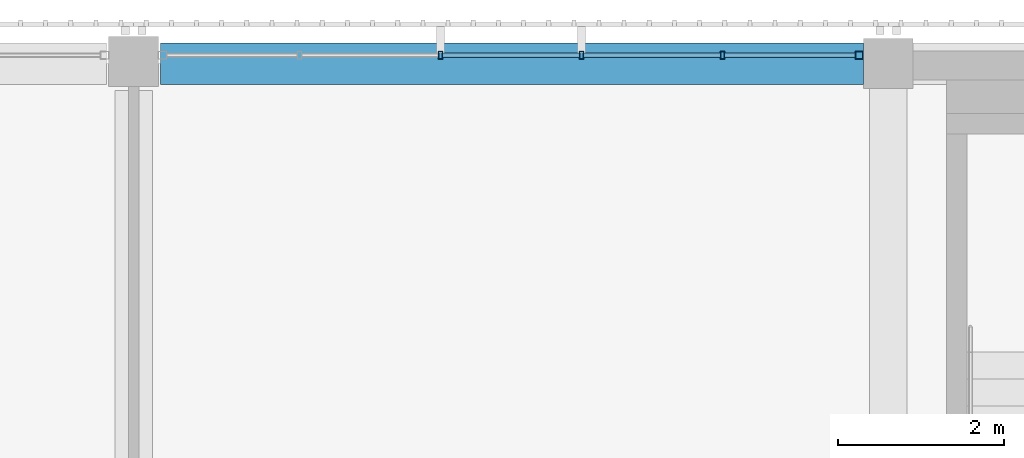
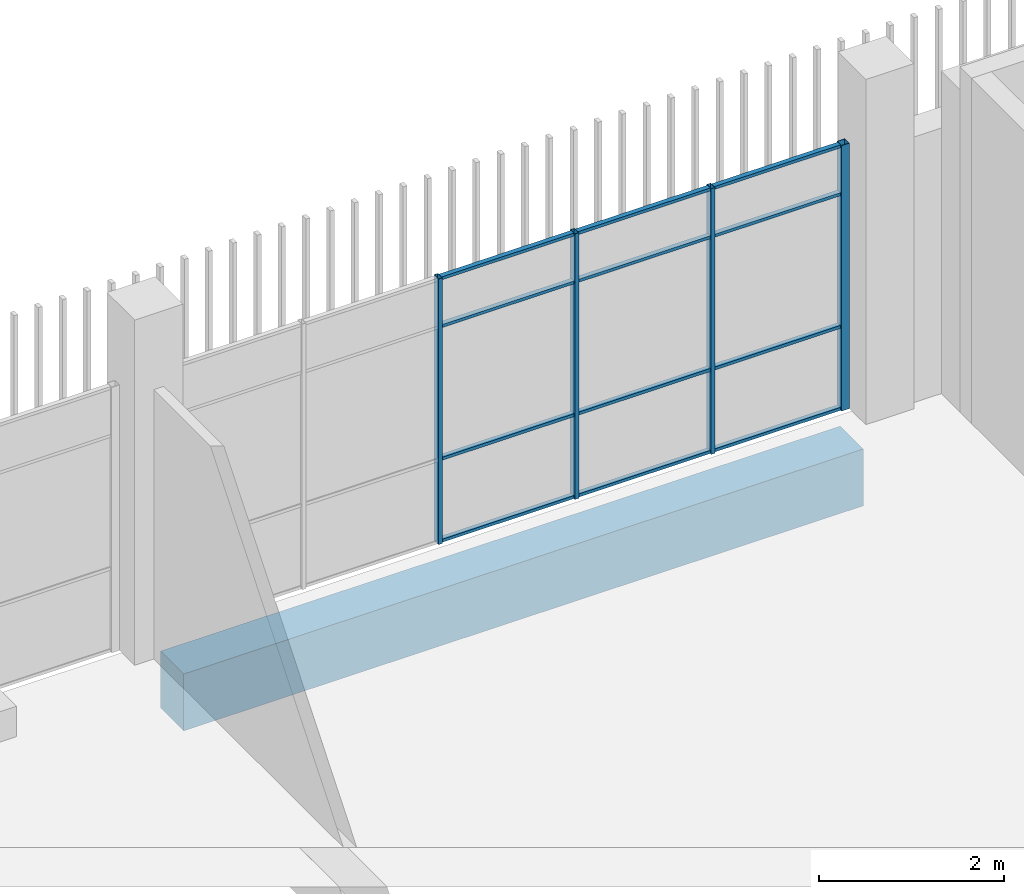
# One storey, part 33 of 126: 16 members, 1 beam, 1 element without a shape of its own.
"""IFC4 building model written with IfcOpenShell, lengths in metres."""

from ifc_helpers import new_model, si_unit, direction, frame, origin, origin_2d, place, context, subcontext, project, spatial, rectangle, hollow_rectangle, extrude, material, layer, layer_set, material_profile, profile_set, type_object, element, aggregate, save


model = new_model("IFC4")

# Units and contexts
model_context = context("Model", 3, precision=1e-05, world=origin(), true_north=direction((0.0, 1.0)))
body_context = subcontext(model_context, "Body", "Model", "MODEL_VIEW")
ifc_project = project(units=[si_unit("LENGTHUNIT", "METRE"), si_unit("AREAUNIT", "SQUARE_METRE"), si_unit("VOLUMEUNIT", "CUBIC_METRE"), si_unit("PLANEANGLEUNIT", "RADIAN"), si_unit("MASSUNIT", "GRAM", prefix="KILO")], contexts=[model_context])

# Site, building, storey
site_placement = place(None, origin())
site = spatial("IfcSite", under=ifc_project, at=site_placement, CompositionType="ELEMENT")
building_placement = place(site_placement, origin())
building = spatial("IfcBuilding", under=site, at=building_placement, Name="Shirokan Park Arena", CompositionType="ELEMENT")
storey_placement = place(building_placement, frame((0.0, 0.0, 6.3701171875)))
storey = spatial("IfcBuildingStorey", under=building, at=storey_placement, Name="L01", CompositionType="ELEMENT", Elevation=6.3701171875)

# Curtain wall, members
ifc_material_1 = material(Name="Steel and glass curtain wall", Category="steel")
ifc_layer = layer(ifc_material_1, 0.10009765625)
ifc_layer_set = layer_set([ifc_layer], Name="Steel and glass curtain wall 100 mm")
curtain_wall_type = type_object("IfcCurtainWallType", Name="Curtain wall sheltered bay 100", PredefinedType="NOTDEFINED", material=ifc_layer_set)
curtain_wall_placement = place(storey_placement, origin())
curtain_wall = element("IfcCurtainWall", 1, at=curtain_wall_placement, inside=storey, type_object=curtain_wall_type, Name="Curtain wall north bay 11 L01", PredefinedType="NOTDEFINED")
ifc_material_2 = material(Name="Steel S355", Category="steel")
ifc_material_profile_1 = material_profile(ifc_material_2, hollow_rectangle(XDim=0.10009765625, YDim=0.10009765625, WallThickness=0.006103515625, at=origin_2d()), Name="RHS 100x100x6")
ifc_profile_set_1 = profile_set([ifc_material_profile_1], Name="Steel S355")
member_type_1 = type_object("IfcMemberType", Name="Mullion RHS 100x100x6", PredefinedType="MULLION", material=ifc_profile_set_1)
member_1_placement = place(storey_placement, frame((54.25, 109.300048828125, 0.0), z_axis=(0.0, 0.0, 1.0), x_axis=(0.0, -1.0, 0.0)))
member_1 = element("IfcMember", 2, at=member_1_placement, type_object=member_type_1, Name="CW2 mullion 1", PredefinedType="MULLION", context=body_context, shape_type="SweptSolid", body=[
    extrude(hollow_rectangle(XDim=0.10009765625, YDim=0.10009765625, WallThickness=0.006103515625, at=origin_2d()), origin(), (0.0, 0.0, 1.0), 3.5),
])
ifc_material_profile_2 = material_profile(ifc_material_2, hollow_rectangle(XDim=0.10009765625, YDim=0.050048828125, WallThickness=0.0048828125, at=origin_2d()), Name="RHS 100x50x5")
ifc_profile_set_2 = profile_set([ifc_material_profile_2], Name="Steel S355")
member_type_2 = type_object("IfcMemberType", Name="Mullion RHS 100x50x5", PredefinedType="MULLION", material=ifc_profile_set_2)
member_2_placement = place(storey_placement, frame((52.60009765625, 109.300048828125, 0.0), z_axis=(0.0, 0.0, 1.0), x_axis=(0.0, -1.0, 0.0)))
member_2 = element("IfcMember", 3, at=member_2_placement, type_object=member_type_2, Name="CW2 mullion 2", PredefinedType="MULLION", context=body_context, shape_type="SweptSolid", body=[
    extrude(hollow_rectangle(XDim=0.10009765625, YDim=0.050048828125, WallThickness=0.0048828125, at=origin_2d()), origin(), (0.0, 0.0, 1.0), 3.5),
])
member_3_placement = place(storey_placement, frame((50.89990234375, 109.300048828125, 0.0), z_axis=(0.0, 0.0, 1.0), x_axis=(0.0, -1.0, 0.0)))
member_3 = element("IfcMember", 4, at=member_3_placement, type_object=member_type_2, Name="CW2 mullion 3", PredefinedType="MULLION", context=body_context, shape_type="SweptSolid", body=[
    extrude(hollow_rectangle(XDim=0.10009765625, YDim=0.050048828125, WallThickness=0.0048828125, at=origin_2d()), origin(), (0.0, 0.0, 1.0), 3.5),
])
member_4_placement = place(storey_placement, frame((49.199951171875, 109.300048828125, 0.0), z_axis=(0.0, 0.0, 1.0), x_axis=(0.0, -1.0, 0.0)))
member_4 = element("IfcMember", 5, at=member_4_placement, type_object=member_type_2, Name="CW2 mullion 4", PredefinedType="MULLION", context=body_context, shape_type="SweptSolid", body=[
    extrude(hollow_rectangle(XDim=0.10009765625, YDim=0.050048828125, WallThickness=0.0048828125, at=origin_2d()), origin(), (0.0, 0.0, 1.0), 3.5),
])

# Beam
ifc_material_3 = material(Name="Concrete C35", Category="concrete")
ifc_material_profile_3 = material_profile(ifc_material_3, rectangle(XDim=0.5, YDim=0.75, at=origin_2d()), Name="500x750")
ifc_profile_set_3 = profile_set([ifc_material_profile_3], Name="Concrete C35")
beam_type = type_object("IfcBeamType", Name="RC girder 500x750", PredefinedType="BEAM", material=ifc_profile_set_3)
beam_placement = place(storey_placement, frame((45.8251953125, 109.199951171875, -0.72509765625), z_axis=(1.0, 0.0, 0.0), x_axis=(0.0, 1.0, 0.0)))
element("IfcBeam", 6, at=beam_placement, inside=storey, type_object=beam_type, Name="Girder 6N-7N L01", PredefinedType="BEAM", context=body_context, shape_type="SweptSolid", body=[
    extrude(rectangle(XDim=0.5, YDim=0.75, at=origin_2d()), origin(), (0.0, 0.0, 1.0), 8.474609375),
])

# Member
ifc_material_profile_4 = material_profile(ifc_material_2, hollow_rectangle(XDim=0.06005859375, YDim=0.0400390625, WallThickness=0.00390625, at=origin_2d()), Name="RHS 60x40x4")
ifc_profile_set_4 = profile_set([ifc_material_profile_4], Name="Steel S355")
member_type_3 = type_object("IfcMemberType", Name="Transom RHS 60x40x4", PredefinedType="MULLION", material=ifc_profile_set_4)
member_5_placement = place(storey_placement, frame((54.199951171875, 109.300048828125, 0.019775390625), z_axis=(-1.0, 0.0, 0.0), x_axis=(0.0, -1.0, 0.0)))
member_5 = element("IfcMember", 7, at=member_5_placement, type_object=member_type_3, Name="CW2 transom 1.1", PredefinedType="MULLION", context=body_context, shape_type="SweptSolid", body=[
    extrude(hollow_rectangle(XDim=0.06005859375, YDim=0.0400390625, WallThickness=0.00390625, at=origin_2d()), origin(), (0.0, 0.0, 1.0), 1.574951171875),
])

member_6_placement = place(storey_placement, frame((54.199951171875, 109.300048828125, 1.099853515625), z_axis=(-1.0, 0.0, 0.0), x_axis=(0.0, -1.0, 0.0)))
member_6 = element("IfcMember", 8, at=member_6_placement, type_object=member_type_3, Name="CW2 transom 1.2", PredefinedType="MULLION", context=body_context, shape_type="SweptSolid", body=[
    extrude(hollow_rectangle(XDim=0.06005859375, YDim=0.0400390625, WallThickness=0.00390625, at=origin_2d()), origin(), (0.0, 0.0, 1.0), 1.574951171875),
])

member_7_placement = place(storey_placement, frame((54.199951171875, 109.300048828125, 2.849853515625), z_axis=(-1.0, 0.0, 0.0), x_axis=(0.0, -1.0, 0.0)))
member_7 = element("IfcMember", 9, at=member_7_placement, type_object=member_type_3, Name="CW2 transom 1.3", PredefinedType="MULLION", context=body_context, shape_type="SweptSolid", body=[
    extrude(hollow_rectangle(XDim=0.06005859375, YDim=0.0400390625, WallThickness=0.00390625, at=origin_2d()), origin(), (0.0, 0.0, 1.0), 1.574951171875),
])

member_8_placement = place(storey_placement, frame((54.199951171875, 109.300048828125, 3.47998046875), z_axis=(-1.0, 0.0, 0.0), x_axis=(0.0, -1.0, 0.0)))
member_8 = element("IfcMember", 10, at=member_8_placement, type_object=member_type_3, Name="CW2 transom 1.4", PredefinedType="MULLION", context=body_context, shape_type="SweptSolid", body=[
    extrude(hollow_rectangle(XDim=0.06005859375, YDim=0.0400390625, WallThickness=0.00390625, at=origin_2d()), origin(), (0.0, 0.0, 1.0), 1.574951171875),
])

member_9_placement = place(storey_placement, frame((52.574951171875, 109.300048828125, 0.019775390625), z_axis=(-1.0, 0.0, 0.0), x_axis=(0.0, -1.0, 0.0)))
member_9 = element("IfcMember", 11, at=member_9_placement, type_object=member_type_3, Name="CW2 transom 2.1", PredefinedType="MULLION", context=body_context, shape_type="SweptSolid", body=[
    extrude(hollow_rectangle(XDim=0.06005859375, YDim=0.0400390625, WallThickness=0.00390625, at=origin_2d()), origin(), (0.0, 0.0, 1.0), 1.64990234375),
])

member_10_placement = place(storey_placement, frame((52.574951171875, 109.300048828125, 1.099853515625), z_axis=(-1.0, 0.0, 0.0), x_axis=(0.0, -1.0, 0.0)))
member_10 = element("IfcMember", 12, at=member_10_placement, type_object=member_type_3, Name="CW2 transom 2.2", PredefinedType="MULLION", context=body_context, shape_type="SweptSolid", body=[
    extrude(hollow_rectangle(XDim=0.06005859375, YDim=0.0400390625, WallThickness=0.00390625, at=origin_2d()), origin(), (0.0, 0.0, 1.0), 1.64990234375),
])

member_11_placement = place(storey_placement, frame((52.574951171875, 109.300048828125, 2.849853515625), z_axis=(-1.0, 0.0, 0.0), x_axis=(0.0, -1.0, 0.0)))
member_11 = element("IfcMember", 13, at=member_11_placement, type_object=member_type_3, Name="CW2 transom 2.3", PredefinedType="MULLION", context=body_context, shape_type="SweptSolid", body=[
    extrude(hollow_rectangle(XDim=0.06005859375, YDim=0.0400390625, WallThickness=0.00390625, at=origin_2d()), origin(), (0.0, 0.0, 1.0), 1.64990234375),
])

member_12_placement = place(storey_placement, frame((52.574951171875, 109.300048828125, 3.47998046875), z_axis=(-1.0, 0.0, 0.0), x_axis=(0.0, -1.0, 0.0)))
member_12 = element("IfcMember", 14, at=member_12_placement, type_object=member_type_3, Name="CW2 transom 2.4", PredefinedType="MULLION", context=body_context, shape_type="SweptSolid", body=[
    extrude(hollow_rectangle(XDim=0.06005859375, YDim=0.0400390625, WallThickness=0.00390625, at=origin_2d()), origin(), (0.0, 0.0, 1.0), 1.64990234375),
])

member_13_placement = place(storey_placement, frame((50.875, 109.300048828125, 0.019775390625), z_axis=(-1.0, 0.0, 0.0), x_axis=(0.0, -1.0, 0.0)))
member_13 = element("IfcMember", 15, at=member_13_placement, type_object=member_type_3, Name="CW2 transom 3.1", PredefinedType="MULLION", context=body_context, shape_type="SweptSolid", body=[
    extrude(hollow_rectangle(XDim=0.06005859375, YDim=0.0400390625, WallThickness=0.00390625, at=origin_2d()), origin(), (0.0, 0.0, 1.0), 1.64990234375),
])

member_14_placement = place(storey_placement, frame((50.875, 109.300048828125, 1.099853515625), z_axis=(-1.0, 0.0, 0.0), x_axis=(0.0, -1.0, 0.0)))
member_14 = element("IfcMember", 16, at=member_14_placement, type_object=member_type_3, Name="CW2 transom 3.2", PredefinedType="MULLION", context=body_context, shape_type="SweptSolid", body=[
    extrude(hollow_rectangle(XDim=0.06005859375, YDim=0.0400390625, WallThickness=0.00390625, at=origin_2d()), origin(), (0.0, 0.0, 1.0), 1.64990234375),
])

member_15_placement = place(storey_placement, frame((50.875, 109.300048828125, 2.849853515625), z_axis=(-1.0, 0.0, 0.0), x_axis=(0.0, -1.0, 0.0)))
member_15 = element("IfcMember", 17, at=member_15_placement, type_object=member_type_3, Name="CW2 transom 3.3", PredefinedType="MULLION", context=body_context, shape_type="SweptSolid", body=[
    extrude(hollow_rectangle(XDim=0.06005859375, YDim=0.0400390625, WallThickness=0.00390625, at=origin_2d()), origin(), (0.0, 0.0, 1.0), 1.64990234375),
])

member_16_placement = place(storey_placement, frame((50.875, 109.300048828125, 3.47998046875), z_axis=(-1.0, 0.0, 0.0), x_axis=(0.0, -1.0, 0.0)))
member_16 = element("IfcMember", 18, at=member_16_placement, type_object=member_type_3, Name="CW2 transom 3.4", PredefinedType="MULLION", context=body_context, shape_type="SweptSolid", body=[
    extrude(hollow_rectangle(XDim=0.06005859375, YDim=0.0400390625, WallThickness=0.00390625, at=origin_2d()), origin(), (0.0, 0.0, 1.0), 1.64990234375),
])

aggregate(curtain_wall, [member_1, member_2, member_3, member_4, member_5, member_6, member_7, member_8, member_9, member_10, member_11, member_12, member_13, member_14, member_15, member_16])

save(model, "model.ifc")
